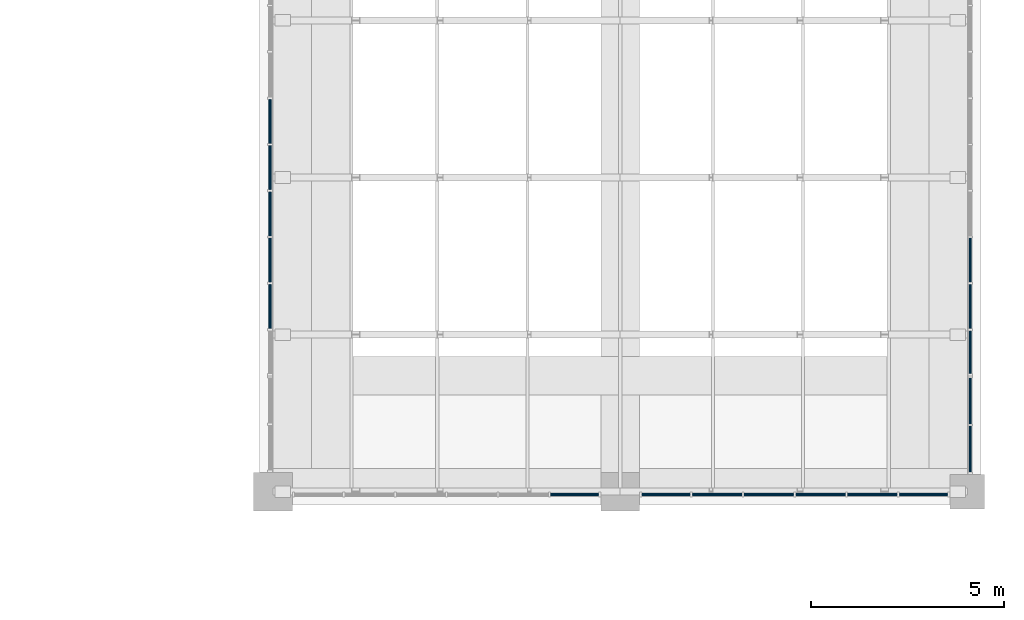
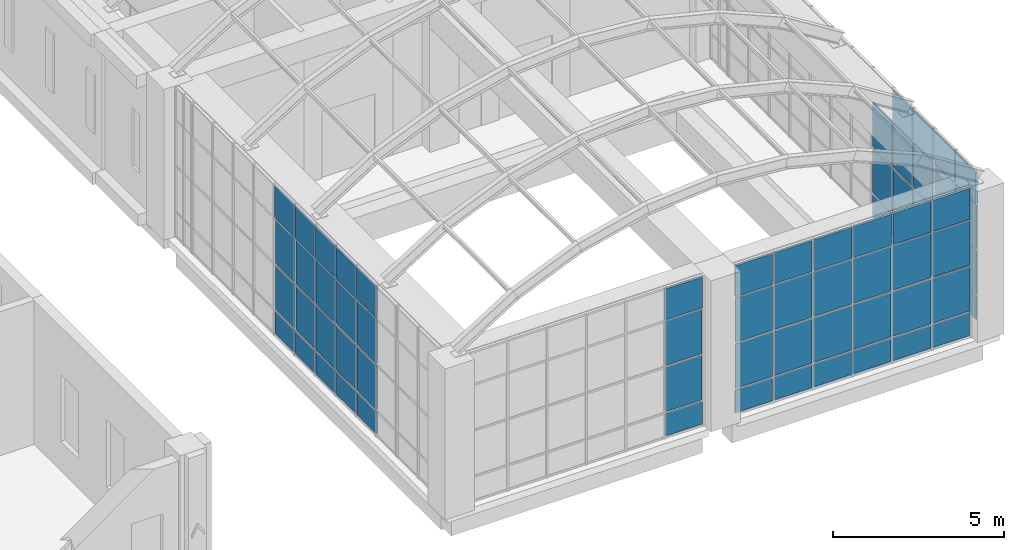
# One storey, part 20 of 39: 67 plates, 5 elements without a shape of their own.
"""IFC4 building model written with IfcOpenShell, lengths in metres."""

from ifc_helpers import new_model, si_unit, direction, frame, origin, origin_2d, place, context, subcontext, project, spatial, rectangle, extrude, material, layer, layer_set, type_object, element, aggregate, save


model = new_model("IFC4")

# Units and contexts
model_context = context("Model", 3, precision=1e-05, world=origin(), true_north=direction((0.0, 1.0)))
body_context = subcontext(model_context, "Body", "Model", "MODEL_VIEW")
ifc_project = project(units=[si_unit("LENGTHUNIT", "METRE"), si_unit("AREAUNIT", "SQUARE_METRE"), si_unit("VOLUMEUNIT", "CUBIC_METRE"), si_unit("PLANEANGLEUNIT", "RADIAN"), si_unit("MASSUNIT", "GRAM", prefix="KILO")], contexts=[model_context])

# Site, building, storey
site_placement = place(None, origin())
site = spatial("IfcSite", under=ifc_project, at=site_placement, CompositionType="ELEMENT")
building_placement = place(site_placement, origin())
building = spatial("IfcBuilding", under=site, at=building_placement, Name="Aurelan Courthouse", CompositionType="ELEMENT")
storey_placement = place(building_placement, frame((0.0, 0.0, 28.199951171875)))
storey = spatial("IfcBuildingStorey", under=building, at=storey_placement, Name="L05", CompositionType="ELEMENT", Elevation=28.199951171875)

# Curtain wall, plate
ifc_material_1 = material(Name="Bronze-finished aluminium and glass", Category="aluminium")
ifc_layer_1 = layer(ifc_material_1, 0.14990234375)
ifc_layer_set_1 = layer_set([ifc_layer_1], Name="Bronze-finished aluminium and glass")
curtain_wall_type_1 = type_object("IfcCurtainWallType", Name="Curtain wall 8000 x 5400", PredefinedType="NOTDEFINED", material=ifc_layer_set_1)
curtain_wall_1_placement = place(storey_placement, origin())
curtain_wall_1 = element("IfcCurtainWall", 1, at=curtain_wall_1_placement, inside=storey, type_object=curtain_wall_type_1, Name="Curtain wall CW-V3-L05-S01", PredefinedType="NOTDEFINED")
ifc_material_2 = material(Name="Bronze-finished aluminium", Category="aluminium")
ifc_layer_2 = layer(ifc_material_2, 0.070068359375)
ifc_layer_set_2 = layer_set([ifc_layer_2], Name="Bronze-finished aluminium")
plate_type_1 = type_object("IfcPlateType", Name="Bronze spandrel panel 70", PredefinedType="CURTAIN_PANEL", material=ifc_layer_set_2)
plate_1_placement = place(storey_placement, frame((79.818359375, 37.425048828125, 4.22998046875), z_axis=(0.0, 0.0, 1.0), x_axis=(1.0, 0.0, 0.0)))
plate_1 = element("IfcPlate", 2, at=plate_1_placement, type_object=plate_type_1, Name="CW-V3-L05-S01 spandrel panel 6.4", PredefinedType="CURTAIN_PANEL", context=body_context, shape_type="SweptSolid", body=[
    extrude(rectangle(XDim=1.243408203125, YDim=0.070068359375, at=origin_2d()), origin(), (0.0, 0.0, 1.0), 1.110107421875),
])

# Curtain wall, plates
ifc_layer_3 = layer(ifc_material_1, 0.14990234375)
ifc_layer_set_3 = layer_set([ifc_layer_3], Name="Bronze-finished aluminium and glass")
curtain_wall_type_2 = type_object("IfcCurtainWallType", Name="Curtain wall 8050 x 5400", PredefinedType="NOTDEFINED", material=ifc_layer_set_3)
curtain_wall_2_placement = place(storey_placement, origin())
curtain_wall_2 = element("IfcCurtainWall", 3, at=curtain_wall_2_placement, inside=storey, type_object=curtain_wall_type_2, Name="Curtain wall CW-V3-L05-S02", PredefinedType="NOTDEFINED")
plate_2_placement = place(storey_placement, frame((82.185791015625, 37.425048828125, 4.22998046875), z_axis=(0.0, 0.0, 1.0), x_axis=(1.0, 0.0, 0.0)))
plate_2 = element("IfcPlate", 4, at=plate_2_placement, type_object=plate_type_1, Name="CW-V3-L05-S02 spandrel panel 1.4", PredefinedType="CURTAIN_PANEL", context=body_context, shape_type="SweptSolid", body=[
    extrude(rectangle(XDim=1.251708984375, YDim=0.070068359375, at=origin_2d()), origin(), (0.0, 0.0, 1.0), 1.110107421875),
])
plate_3_placement = place(storey_placement, frame((83.512451171875, 37.425048828125, 4.22998046875), z_axis=(0.0, 0.0, 1.0), x_axis=(1.0, 0.0, 0.0)))
plate_3 = element("IfcPlate", 5, at=plate_3_placement, type_object=plate_type_1, Name="CW-V3-L05-S02 spandrel panel 2.4", PredefinedType="CURTAIN_PANEL", context=body_context, shape_type="SweptSolid", body=[
    extrude(rectangle(XDim=1.28173828125, YDim=0.070068359375, at=origin_2d()), origin(), (0.0, 0.0, 1.0), 1.110107421875),
])
plate_4_placement = place(storey_placement, frame((84.854248046875, 37.425048828125, 4.22998046875), z_axis=(0.0, 0.0, 1.0), x_axis=(1.0, 0.0, 0.0)))
plate_4 = element("IfcPlate", 6, at=plate_4_placement, type_object=plate_type_1, Name="CW-V3-L05-S02 spandrel panel 3.4", PredefinedType="CURTAIN_PANEL", context=body_context, shape_type="SweptSolid", body=[
    extrude(rectangle(XDim=1.28173828125, YDim=0.070068359375, at=origin_2d()), origin(), (0.0, 0.0, 1.0), 1.110107421875),
])
plate_5_placement = place(storey_placement, frame((86.19580078125, 37.425048828125, 4.22998046875), z_axis=(0.0, 0.0, 1.0), x_axis=(1.0, 0.0, 0.0)))
plate_5 = element("IfcPlate", 7, at=plate_5_placement, type_object=plate_type_1, Name="CW-V3-L05-S02 spandrel panel 4.4", PredefinedType="CURTAIN_PANEL", context=body_context, shape_type="SweptSolid", body=[
    extrude(rectangle(XDim=1.28173828125, YDim=0.070068359375, at=origin_2d()), origin(), (0.0, 0.0, 1.0), 1.110107421875),
])
plate_6_placement = place(storey_placement, frame((87.53759765625, 37.425048828125, 4.22998046875), z_axis=(0.0, 0.0, 1.0), x_axis=(1.0, 0.0, 0.0)))
plate_6 = element("IfcPlate", 8, at=plate_6_placement, type_object=plate_type_1, Name="CW-V3-L05-S02 spandrel panel 5.4", PredefinedType="CURTAIN_PANEL", context=body_context, shape_type="SweptSolid", body=[
    extrude(rectangle(XDim=1.28173828125, YDim=0.070068359375, at=origin_2d()), origin(), (0.0, 0.0, 1.0), 1.110107421875),
])
plate_7_placement = place(storey_placement, frame((88.8642578125, 37.425048828125, 4.22998046875), z_axis=(0.0, 0.0, 1.0), x_axis=(1.0, 0.0, 0.0)))
plate_7 = element("IfcPlate", 9, at=plate_7_placement, type_object=plate_type_1, Name="CW-V3-L05-S02 spandrel panel 6.4", PredefinedType="CURTAIN_PANEL", context=body_context, shape_type="SweptSolid", body=[
    extrude(rectangle(XDim=1.251708984375, YDim=0.070068359375, at=origin_2d()), origin(), (0.0, 0.0, 1.0), 1.110107421875),
])

ifc_layer_4 = layer(ifc_material_1, 0.14990234375)
ifc_layer_set_4 = layer_set([ifc_layer_4], Name="Bronze-finished aluminium and glass")
curtain_wall_type_3 = type_object("IfcCurtainWallType", Name="Curtain wall 2550 x 5400", PredefinedType="NOTDEFINED", material=ifc_layer_set_4)
curtain_wall_3_placement = place(storey_placement, origin())
curtain_wall_3 = element("IfcCurtainWall", 10, at=curtain_wall_3_placement, inside=storey, type_object=curtain_wall_type_3, Name="Curtain wall CW-V3-L05-E01", PredefinedType="NOTDEFINED")
plate_8_placement = place(storey_placement, frame((90.074951171875, 38.6025390625, 4.22998046875), z_axis=(0.0, 0.0, 1.0), x_axis=(0.0, 1.0, 0.0)))
plate_8 = element("IfcPlate", 11, at=plate_8_placement, type_object=plate_type_1, Name="CW-V3-L05-E01 spandrel panel 1.4", PredefinedType="CURTAIN_PANEL", context=body_context, shape_type="SweptSolid", body=[
    extrude(rectangle(XDim=1.18505859375, YDim=0.070068359375, at=origin_2d()), origin(), (0.0, 0.0, 1.0), 1.110107421875),
])
plate_9_placement = place(storey_placement, frame((90.074951171875, 39.847412109375, 4.22998046875), z_axis=(0.0, 0.0, 1.0), x_axis=(0.0, 1.0, 0.0)))
plate_9 = element("IfcPlate", 12, at=plate_9_placement, type_object=plate_type_1, Name="CW-V3-L05-E01 spandrel panel 2.4", PredefinedType="CURTAIN_PANEL", context=body_context, shape_type="SweptSolid", body=[
    extrude(rectangle(XDim=1.18505859375, YDim=0.070068359375, at=origin_2d()), origin(), (0.0, 0.0, 1.0), 1.110107421875),
])

ifc_layer_5 = layer(ifc_material_1, 0.14990234375)
ifc_layer_set_5 = layer_set([ifc_layer_5], Name="Bronze-finished aluminium and glass")
curtain_wall_type_4 = type_object("IfcCurtainWallType", Name="Curtain wall 12000 x 5400", PredefinedType="NOTDEFINED", material=ifc_layer_set_5)
curtain_wall_4_placement = place(storey_placement, origin())
curtain_wall_4 = element("IfcCurtainWall", 13, at=curtain_wall_4_placement, inside=storey, type_object=curtain_wall_type_4, Name="Curtain wall CW-V3-L05-E02", PredefinedType="NOTDEFINED")
plate_10_placement = place(storey_placement, frame((90.074951171875, 41.114990234375, 4.22998046875), z_axis=(0.0, 0.0, 1.0), x_axis=(0.0, 1.0, 0.0)))
plate_10 = element("IfcPlate", 14, at=plate_10_placement, type_object=plate_type_1, Name="CW-V3-L05-E02 spandrel panel 1.4", PredefinedType="CURTAIN_PANEL", context=body_context, shape_type="SweptSolid", body=[
    extrude(rectangle(XDim=1.110107421875, YDim=0.070068359375, at=origin_2d()), origin(), (0.0, 0.0, 1.0), 1.110107421875),
])
plate_11_placement = place(storey_placement, frame((90.074951171875, 42.300048828125, 4.22998046875), z_axis=(0.0, 0.0, 1.0), x_axis=(0.0, 1.0, 0.0)))
plate_11 = element("IfcPlate", 15, at=plate_11_placement, type_object=plate_type_1, Name="CW-V3-L05-E02 spandrel panel 2.4", PredefinedType="CURTAIN_PANEL", context=body_context, shape_type="SweptSolid", body=[
    extrude(rectangle(XDim=1.139892578125, YDim=0.070068359375, at=origin_2d()), origin(), (0.0, 0.0, 1.0), 1.110107421875),
])

curtain_wall_5_placement = place(storey_placement, origin())
curtain_wall_5 = element("IfcCurtainWall", 16, at=curtain_wall_5_placement, inside=storey, type_object=curtain_wall_type_4, Name="Curtain wall CW-V3-L05-W02", PredefinedType="NOTDEFINED")
plate_12_placement = place(storey_placement, frame((71.925048828125, 42.300048828125, 4.22998046875), z_axis=(0.0, 0.0, 1.0), x_axis=(0.0, 1.0, 0.0)))
plate_12 = element("IfcPlate", 17, at=plate_12_placement, type_object=plate_type_1, Name="CW-V3-L05-W02 spandrel panel 2.4", PredefinedType="CURTAIN_PANEL", context=body_context, shape_type="SweptSolid", body=[
    extrude(rectangle(XDim=1.139892578125, YDim=0.070068359375, at=origin_2d()), origin(), (0.0, 0.0, 1.0), 1.110107421875),
])
plate_13_placement = place(storey_placement, frame((71.925048828125, 43.5, 4.22998046875), z_axis=(0.0, 0.0, 1.0), x_axis=(0.0, 1.0, 0.0)))
plate_13 = element("IfcPlate", 18, at=plate_13_placement, type_object=plate_type_1, Name="CW-V3-L05-W02 spandrel panel 3.4", PredefinedType="CURTAIN_PANEL", context=body_context, shape_type="SweptSolid", body=[
    extrude(rectangle(XDim=1.139892578125, YDim=0.070068359375, at=origin_2d()), origin(), (0.0, 0.0, 1.0), 1.110107421875),
])
plate_14_placement = place(storey_placement, frame((71.925048828125, 44.699951171875, 4.22998046875), z_axis=(0.0, 0.0, 1.0), x_axis=(0.0, 1.0, 0.0)))
plate_14 = element("IfcPlate", 19, at=plate_14_placement, type_object=plate_type_1, Name="CW-V3-L05-W02 spandrel panel 4.4", PredefinedType="CURTAIN_PANEL", context=body_context, shape_type="SweptSolid", body=[
    extrude(rectangle(XDim=1.139892578125, YDim=0.070068359375, at=origin_2d()), origin(), (0.0, 0.0, 1.0), 1.110107421875),
])
plate_15_placement = place(storey_placement, frame((71.925048828125, 45.89990234375, 4.22998046875), z_axis=(0.0, 0.0, 1.0), x_axis=(0.0, 1.0, 0.0)))
plate_15 = element("IfcPlate", 20, at=plate_15_placement, type_object=plate_type_1, Name="CW-V3-L05-W02 spandrel panel 5.4", PredefinedType="CURTAIN_PANEL", context=body_context, shape_type="SweptSolid", body=[
    extrude(rectangle(XDim=1.139892578125, YDim=0.070068359375, at=origin_2d()), origin(), (0.0, 0.0, 1.0), 1.110107421875),
])
plate_16_placement = place(storey_placement, frame((71.925048828125, 47.10009765625, 4.22998046875), z_axis=(0.0, 0.0, 1.0), x_axis=(0.0, 1.0, 0.0)))
plate_16 = element("IfcPlate", 21, at=plate_16_placement, type_object=plate_type_1, Name="CW-V3-L05-W02 spandrel panel 6.4", PredefinedType="CURTAIN_PANEL", context=body_context, shape_type="SweptSolid", body=[
    extrude(rectangle(XDim=1.139892578125, YDim=0.070068359375, at=origin_2d()), origin(), (0.0, 0.0, 1.0), 1.110107421875),
])

# Plate
ifc_layer_6 = layer(ifc_material_2, 0.0400390625)
ifc_layer_set_6 = layer_set([ifc_layer_6], Name="Bronze-finished aluminium")
plate_type_2 = type_object("IfcPlateType", Name="Sill panel 40", PredefinedType="CURTAIN_PANEL", material=ifc_layer_set_6)
plate_17_placement = place(storey_placement, frame((79.818359375, 37.425048828125, 0.06005859375), z_axis=(0.0, 0.0, 1.0), x_axis=(1.0, 0.0, 0.0)))
plate_17 = element("IfcPlate", 22, at=plate_17_placement, type_object=plate_type_2, Name="CW-V3-L05-S01 sill panel 6.1", PredefinedType="CURTAIN_PANEL", context=body_context, shape_type="SweptSolid", body=[
    extrude(rectangle(XDim=1.243408203125, YDim=0.0400390625, at=origin_2d()), origin(), (0.0, 0.0, 1.0), 0.81005859375),
])

plate_18_placement = place(storey_placement, frame((82.185791015625, 37.425048828125, 0.06005859375), z_axis=(0.0, 0.0, 1.0), x_axis=(1.0, 0.0, 0.0)))
plate_18 = element("IfcPlate", 23, at=plate_18_placement, type_object=plate_type_2, Name="CW-V3-L05-S02 sill panel 1.1", PredefinedType="CURTAIN_PANEL", context=body_context, shape_type="SweptSolid", body=[
    extrude(rectangle(XDim=1.251708984375, YDim=0.0400390625, at=origin_2d()), origin(), (0.0, 0.0, 1.0), 0.81005859375),
])

plate_19_placement = place(storey_placement, frame((83.512451171875, 37.425048828125, 0.06005859375), z_axis=(0.0, 0.0, 1.0), x_axis=(1.0, 0.0, 0.0)))
plate_19 = element("IfcPlate", 24, at=plate_19_placement, type_object=plate_type_2, Name="CW-V3-L05-S02 sill panel 2.1", PredefinedType="CURTAIN_PANEL", context=body_context, shape_type="SweptSolid", body=[
    extrude(rectangle(XDim=1.28173828125, YDim=0.0400390625, at=origin_2d()), origin(), (0.0, 0.0, 1.0), 0.81005859375),
])

plate_20_placement = place(storey_placement, frame((84.854248046875, 37.425048828125, 0.06005859375), z_axis=(0.0, 0.0, 1.0), x_axis=(1.0, 0.0, 0.0)))
plate_20 = element("IfcPlate", 25, at=plate_20_placement, type_object=plate_type_2, Name="CW-V3-L05-S02 sill panel 3.1", PredefinedType="CURTAIN_PANEL", context=body_context, shape_type="SweptSolid", body=[
    extrude(rectangle(XDim=1.28173828125, YDim=0.0400390625, at=origin_2d()), origin(), (0.0, 0.0, 1.0), 0.81005859375),
])

plate_21_placement = place(storey_placement, frame((86.19580078125, 37.425048828125, 0.06005859375), z_axis=(0.0, 0.0, 1.0), x_axis=(1.0, 0.0, 0.0)))
plate_21 = element("IfcPlate", 26, at=plate_21_placement, type_object=plate_type_2, Name="CW-V3-L05-S02 sill panel 4.1", PredefinedType="CURTAIN_PANEL", context=body_context, shape_type="SweptSolid", body=[
    extrude(rectangle(XDim=1.28173828125, YDim=0.0400390625, at=origin_2d()), origin(), (0.0, 0.0, 1.0), 0.81005859375),
])

plate_22_placement = place(storey_placement, frame((87.53759765625, 37.425048828125, 0.06005859375), z_axis=(0.0, 0.0, 1.0), x_axis=(1.0, 0.0, 0.0)))
plate_22 = element("IfcPlate", 27, at=plate_22_placement, type_object=plate_type_2, Name="CW-V3-L05-S02 sill panel 5.1", PredefinedType="CURTAIN_PANEL", context=body_context, shape_type="SweptSolid", body=[
    extrude(rectangle(XDim=1.28173828125, YDim=0.0400390625, at=origin_2d()), origin(), (0.0, 0.0, 1.0), 0.81005859375),
])

plate_23_placement = place(storey_placement, frame((88.8642578125, 37.425048828125, 0.06005859375), z_axis=(0.0, 0.0, 1.0), x_axis=(1.0, 0.0, 0.0)))
plate_23 = element("IfcPlate", 28, at=plate_23_placement, type_object=plate_type_2, Name="CW-V3-L05-S02 sill panel 6.1", PredefinedType="CURTAIN_PANEL", context=body_context, shape_type="SweptSolid", body=[
    extrude(rectangle(XDim=1.251708984375, YDim=0.0400390625, at=origin_2d()), origin(), (0.0, 0.0, 1.0), 0.81005859375),
])

plate_24_placement = place(storey_placement, frame((90.074951171875, 38.6025390625, 0.06005859375), z_axis=(0.0, 0.0, 1.0), x_axis=(0.0, 1.0, 0.0)))
plate_24 = element("IfcPlate", 29, at=plate_24_placement, type_object=plate_type_2, Name="CW-V3-L05-E01 sill panel 1.1", PredefinedType="CURTAIN_PANEL", context=body_context, shape_type="SweptSolid", body=[
    extrude(rectangle(XDim=1.18505859375, YDim=0.0400390625, at=origin_2d()), origin(), (0.0, 0.0, 1.0), 0.81005859375),
])

plate_25_placement = place(storey_placement, frame((90.074951171875, 39.847412109375, 0.06005859375), z_axis=(0.0, 0.0, 1.0), x_axis=(0.0, 1.0, 0.0)))
plate_25 = element("IfcPlate", 30, at=plate_25_placement, type_object=plate_type_2, Name="CW-V3-L05-E01 sill panel 2.1", PredefinedType="CURTAIN_PANEL", context=body_context, shape_type="SweptSolid", body=[
    extrude(rectangle(XDim=1.18505859375, YDim=0.0400390625, at=origin_2d()), origin(), (0.0, 0.0, 1.0), 0.81005859375),
])

plate_26_placement = place(storey_placement, frame((90.074951171875, 41.114990234375, 0.06005859375), z_axis=(0.0, 0.0, 1.0), x_axis=(0.0, 1.0, 0.0)))
plate_26 = element("IfcPlate", 31, at=plate_26_placement, type_object=plate_type_2, Name="CW-V3-L05-E02 sill panel 1.1", PredefinedType="CURTAIN_PANEL", context=body_context, shape_type="SweptSolid", body=[
    extrude(rectangle(XDim=1.110107421875, YDim=0.0400390625, at=origin_2d()), origin(), (0.0, 0.0, 1.0), 0.81005859375),
])

plate_27_placement = place(storey_placement, frame((90.074951171875, 42.300048828125, 0.06005859375), z_axis=(0.0, 0.0, 1.0), x_axis=(0.0, 1.0, 0.0)))
plate_27 = element("IfcPlate", 32, at=plate_27_placement, type_object=plate_type_2, Name="CW-V3-L05-E02 sill panel 2.1", PredefinedType="CURTAIN_PANEL", context=body_context, shape_type="SweptSolid", body=[
    extrude(rectangle(XDim=1.139892578125, YDim=0.0400390625, at=origin_2d()), origin(), (0.0, 0.0, 1.0), 0.81005859375),
])

plate_28_placement = place(storey_placement, frame((90.074951171875, 43.5, 0.06005859375), z_axis=(0.0, 0.0, 1.0), x_axis=(0.0, 1.0, 0.0)))
plate_28 = element("IfcPlate", 33, at=plate_28_placement, type_object=plate_type_2, Name="CW-V3-L05-E02 sill panel 3.1", PredefinedType="CURTAIN_PANEL", context=body_context, shape_type="SweptSolid", body=[
    extrude(rectangle(XDim=1.139892578125, YDim=0.0400390625, at=origin_2d()), origin(), (0.0, 0.0, 1.0), 0.81005859375),
])

plate_29_placement = place(storey_placement, frame((71.925048828125, 42.300048828125, 0.06005859375), z_axis=(0.0, 0.0, 1.0), x_axis=(0.0, 1.0, 0.0)))
plate_29 = element("IfcPlate", 34, at=plate_29_placement, type_object=plate_type_2, Name="CW-V3-L05-W02 sill panel 2.1", PredefinedType="CURTAIN_PANEL", context=body_context, shape_type="SweptSolid", body=[
    extrude(rectangle(XDim=1.139892578125, YDim=0.0400390625, at=origin_2d()), origin(), (0.0, 0.0, 1.0), 0.81005859375),
])

plate_30_placement = place(storey_placement, frame((71.925048828125, 43.5, 0.06005859375), z_axis=(0.0, 0.0, 1.0), x_axis=(0.0, 1.0, 0.0)))
plate_30 = element("IfcPlate", 35, at=plate_30_placement, type_object=plate_type_2, Name="CW-V3-L05-W02 sill panel 3.1", PredefinedType="CURTAIN_PANEL", context=body_context, shape_type="SweptSolid", body=[
    extrude(rectangle(XDim=1.139892578125, YDim=0.0400390625, at=origin_2d()), origin(), (0.0, 0.0, 1.0), 0.81005859375),
])

plate_31_placement = place(storey_placement, frame((71.925048828125, 44.699951171875, 0.06005859375), z_axis=(0.0, 0.0, 1.0), x_axis=(0.0, 1.0, 0.0)))
plate_31 = element("IfcPlate", 36, at=plate_31_placement, type_object=plate_type_2, Name="CW-V3-L05-W02 sill panel 4.1", PredefinedType="CURTAIN_PANEL", context=body_context, shape_type="SweptSolid", body=[
    extrude(rectangle(XDim=1.139892578125, YDim=0.0400390625, at=origin_2d()), origin(), (0.0, 0.0, 1.0), 0.81005859375),
])

plate_32_placement = place(storey_placement, frame((71.925048828125, 45.89990234375, 0.06005859375), z_axis=(0.0, 0.0, 1.0), x_axis=(0.0, 1.0, 0.0)))
plate_32 = element("IfcPlate", 37, at=plate_32_placement, type_object=plate_type_2, Name="CW-V3-L05-W02 sill panel 5.1", PredefinedType="CURTAIN_PANEL", context=body_context, shape_type="SweptSolid", body=[
    extrude(rectangle(XDim=1.139892578125, YDim=0.0400390625, at=origin_2d()), origin(), (0.0, 0.0, 1.0), 0.81005859375),
])

plate_33_placement = place(storey_placement, frame((71.925048828125, 47.10009765625, 0.06005859375), z_axis=(0.0, 0.0, 1.0), x_axis=(0.0, 1.0, 0.0)))
plate_33 = element("IfcPlate", 38, at=plate_33_placement, type_object=plate_type_2, Name="CW-V3-L05-W02 sill panel 6.1", PredefinedType="CURTAIN_PANEL", context=body_context, shape_type="SweptSolid", body=[
    extrude(rectangle(XDim=1.139892578125, YDim=0.0400390625, at=origin_2d()), origin(), (0.0, 0.0, 1.0), 0.81005859375),
])

ifc_material_3 = material(Name="Laminated low-emissivity glass", Category="glass")
ifc_layer_7 = layer(ifc_material_3, 0.031982421875)
ifc_layer_set_7 = layer_set([ifc_layer_7], Name="Laminated low-emissivity glass")
plate_type_3 = type_object("IfcPlateType", Name="Vision glass panel 32", PredefinedType="CURTAIN_PANEL", material=ifc_layer_set_7)
plate_34_placement = place(storey_placement, frame((79.818359375, 37.425048828125, 0.93017578125), z_axis=(0.0, 0.0, 1.0), x_axis=(1.0, 0.0, 0.0)))
plate_34 = element("IfcPlate", 39, at=plate_34_placement, type_object=plate_type_3, Name="CW-V3-L05-S01 vision panel 6.2", PredefinedType="CURTAIN_PANEL", context=body_context, shape_type="SweptSolid", body=[
    extrude(rectangle(XDim=1.243408203125, YDim=0.031982421875, at=origin_2d()), origin(), (0.0, 0.0, 1.0), 1.590087890625),
])

plate_35_placement = place(storey_placement, frame((79.818359375, 37.425048828125, 2.580078125), z_axis=(0.0, 0.0, 1.0), x_axis=(1.0, 0.0, 0.0)))
plate_35 = element("IfcPlate", 40, at=plate_35_placement, type_object=plate_type_3, Name="CW-V3-L05-S01 vision panel 6.3", PredefinedType="CURTAIN_PANEL", context=body_context, shape_type="SweptSolid", body=[
    extrude(rectangle(XDim=1.243408203125, YDim=0.031982421875, at=origin_2d()), origin(), (0.0, 0.0, 1.0), 1.590087890625),
])

aggregate(curtain_wall_1, [plate_17, plate_34, plate_35, plate_1])

plate_36_placement = place(storey_placement, frame((82.185791015625, 37.425048828125, 0.93017578125), z_axis=(0.0, 0.0, 1.0), x_axis=(1.0, 0.0, 0.0)))
plate_36 = element("IfcPlate", 41, at=plate_36_placement, type_object=plate_type_3, Name="CW-V3-L05-S02 vision panel 1.2", PredefinedType="CURTAIN_PANEL", context=body_context, shape_type="SweptSolid", body=[
    extrude(rectangle(XDim=1.251708984375, YDim=0.031982421875, at=origin_2d()), origin(), (0.0, 0.0, 1.0), 1.590087890625),
])

plate_37_placement = place(storey_placement, frame((82.185791015625, 37.425048828125, 2.580078125), z_axis=(0.0, 0.0, 1.0), x_axis=(1.0, 0.0, 0.0)))
plate_37 = element("IfcPlate", 42, at=plate_37_placement, type_object=plate_type_3, Name="CW-V3-L05-S02 vision panel 1.3", PredefinedType="CURTAIN_PANEL", context=body_context, shape_type="SweptSolid", body=[
    extrude(rectangle(XDim=1.251708984375, YDim=0.031982421875, at=origin_2d()), origin(), (0.0, 0.0, 1.0), 1.590087890625),
])

plate_38_placement = place(storey_placement, frame((83.512451171875, 37.425048828125, 0.93017578125), z_axis=(0.0, 0.0, 1.0), x_axis=(1.0, 0.0, 0.0)))
plate_38 = element("IfcPlate", 43, at=plate_38_placement, type_object=plate_type_3, Name="CW-V3-L05-S02 vision panel 2.2", PredefinedType="CURTAIN_PANEL", context=body_context, shape_type="SweptSolid", body=[
    extrude(rectangle(XDim=1.28173828125, YDim=0.031982421875, at=origin_2d()), origin(), (0.0, 0.0, 1.0), 1.590087890625),
])

plate_39_placement = place(storey_placement, frame((83.512451171875, 37.425048828125, 2.580078125), z_axis=(0.0, 0.0, 1.0), x_axis=(1.0, 0.0, 0.0)))
plate_39 = element("IfcPlate", 44, at=plate_39_placement, type_object=plate_type_3, Name="CW-V3-L05-S02 vision panel 2.3", PredefinedType="CURTAIN_PANEL", context=body_context, shape_type="SweptSolid", body=[
    extrude(rectangle(XDim=1.28173828125, YDim=0.031982421875, at=origin_2d()), origin(), (0.0, 0.0, 1.0), 1.590087890625),
])

plate_40_placement = place(storey_placement, frame((84.854248046875, 37.425048828125, 0.93017578125), z_axis=(0.0, 0.0, 1.0), x_axis=(1.0, 0.0, 0.0)))
plate_40 = element("IfcPlate", 45, at=plate_40_placement, type_object=plate_type_3, Name="CW-V3-L05-S02 vision panel 3.2", PredefinedType="CURTAIN_PANEL", context=body_context, shape_type="SweptSolid", body=[
    extrude(rectangle(XDim=1.28173828125, YDim=0.031982421875, at=origin_2d()), origin(), (0.0, 0.0, 1.0), 1.590087890625),
])

plate_41_placement = place(storey_placement, frame((84.854248046875, 37.425048828125, 2.580078125), z_axis=(0.0, 0.0, 1.0), x_axis=(1.0, 0.0, 0.0)))
plate_41 = element("IfcPlate", 46, at=plate_41_placement, type_object=plate_type_3, Name="CW-V3-L05-S02 vision panel 3.3", PredefinedType="CURTAIN_PANEL", context=body_context, shape_type="SweptSolid", body=[
    extrude(rectangle(XDim=1.28173828125, YDim=0.031982421875, at=origin_2d()), origin(), (0.0, 0.0, 1.0), 1.590087890625),
])

plate_42_placement = place(storey_placement, frame((86.19580078125, 37.425048828125, 0.93017578125), z_axis=(0.0, 0.0, 1.0), x_axis=(1.0, 0.0, 0.0)))
plate_42 = element("IfcPlate", 47, at=plate_42_placement, type_object=plate_type_3, Name="CW-V3-L05-S02 vision panel 4.2", PredefinedType="CURTAIN_PANEL", context=body_context, shape_type="SweptSolid", body=[
    extrude(rectangle(XDim=1.28173828125, YDim=0.031982421875, at=origin_2d()), origin(), (0.0, 0.0, 1.0), 1.590087890625),
])

plate_43_placement = place(storey_placement, frame((86.19580078125, 37.425048828125, 2.580078125), z_axis=(0.0, 0.0, 1.0), x_axis=(1.0, 0.0, 0.0)))
plate_43 = element("IfcPlate", 48, at=plate_43_placement, type_object=plate_type_3, Name="CW-V3-L05-S02 vision panel 4.3", PredefinedType="CURTAIN_PANEL", context=body_context, shape_type="SweptSolid", body=[
    extrude(rectangle(XDim=1.28173828125, YDim=0.031982421875, at=origin_2d()), origin(), (0.0, 0.0, 1.0), 1.590087890625),
])

plate_44_placement = place(storey_placement, frame((87.53759765625, 37.425048828125, 0.93017578125), z_axis=(0.0, 0.0, 1.0), x_axis=(1.0, 0.0, 0.0)))
plate_44 = element("IfcPlate", 49, at=plate_44_placement, type_object=plate_type_3, Name="CW-V3-L05-S02 vision panel 5.2", PredefinedType="CURTAIN_PANEL", context=body_context, shape_type="SweptSolid", body=[
    extrude(rectangle(XDim=1.28173828125, YDim=0.031982421875, at=origin_2d()), origin(), (0.0, 0.0, 1.0), 1.590087890625),
])

plate_45_placement = place(storey_placement, frame((87.53759765625, 37.425048828125, 2.580078125), z_axis=(0.0, 0.0, 1.0), x_axis=(1.0, 0.0, 0.0)))
plate_45 = element("IfcPlate", 50, at=plate_45_placement, type_object=plate_type_3, Name="CW-V3-L05-S02 vision panel 5.3", PredefinedType="CURTAIN_PANEL", context=body_context, shape_type="SweptSolid", body=[
    extrude(rectangle(XDim=1.28173828125, YDim=0.031982421875, at=origin_2d()), origin(), (0.0, 0.0, 1.0), 1.590087890625),
])

plate_46_placement = place(storey_placement, frame((88.8642578125, 37.425048828125, 0.93017578125), z_axis=(0.0, 0.0, 1.0), x_axis=(1.0, 0.0, 0.0)))
plate_46 = element("IfcPlate", 51, at=plate_46_placement, type_object=plate_type_3, Name="CW-V3-L05-S02 vision panel 6.2", PredefinedType="CURTAIN_PANEL", context=body_context, shape_type="SweptSolid", body=[
    extrude(rectangle(XDim=1.251708984375, YDim=0.031982421875, at=origin_2d()), origin(), (0.0, 0.0, 1.0), 1.590087890625),
])

plate_47_placement = place(storey_placement, frame((88.8642578125, 37.425048828125, 2.580078125), z_axis=(0.0, 0.0, 1.0), x_axis=(1.0, 0.0, 0.0)))
plate_47 = element("IfcPlate", 52, at=plate_47_placement, type_object=plate_type_3, Name="CW-V3-L05-S02 vision panel 6.3", PredefinedType="CURTAIN_PANEL", context=body_context, shape_type="SweptSolid", body=[
    extrude(rectangle(XDim=1.251708984375, YDim=0.031982421875, at=origin_2d()), origin(), (0.0, 0.0, 1.0), 1.590087890625),
])

aggregate(curtain_wall_2, [plate_18, plate_36, plate_37, plate_2, plate_19, plate_38, plate_39, plate_3, plate_20, plate_40, plate_41, plate_4, plate_21, plate_42, plate_43, plate_5, plate_22, plate_44, plate_45, plate_6, plate_23, plate_46, plate_47, plate_7])

plate_48_placement = place(storey_placement, frame((90.074951171875, 38.6025390625, 0.93017578125), z_axis=(0.0, 0.0, 1.0), x_axis=(0.0, 1.0, 0.0)))
plate_48 = element("IfcPlate", 53, at=plate_48_placement, type_object=plate_type_3, Name="CW-V3-L05-E01 vision panel 1.2", PredefinedType="CURTAIN_PANEL", context=body_context, shape_type="SweptSolid", body=[
    extrude(rectangle(XDim=1.18505859375, YDim=0.031982421875, at=origin_2d()), origin(), (0.0, 0.0, 1.0), 1.590087890625),
])

plate_49_placement = place(storey_placement, frame((90.074951171875, 38.6025390625, 2.580078125), z_axis=(0.0, 0.0, 1.0), x_axis=(0.0, 1.0, 0.0)))
plate_49 = element("IfcPlate", 54, at=plate_49_placement, type_object=plate_type_3, Name="CW-V3-L05-E01 vision panel 1.3", PredefinedType="CURTAIN_PANEL", context=body_context, shape_type="SweptSolid", body=[
    extrude(rectangle(XDim=1.18505859375, YDim=0.031982421875, at=origin_2d()), origin(), (0.0, 0.0, 1.0), 1.590087890625),
])

plate_50_placement = place(storey_placement, frame((90.074951171875, 39.847412109375, 0.93017578125), z_axis=(0.0, 0.0, 1.0), x_axis=(0.0, 1.0, 0.0)))
plate_50 = element("IfcPlate", 55, at=plate_50_placement, type_object=plate_type_3, Name="CW-V3-L05-E01 vision panel 2.2", PredefinedType="CURTAIN_PANEL", context=body_context, shape_type="SweptSolid", body=[
    extrude(rectangle(XDim=1.18505859375, YDim=0.031982421875, at=origin_2d()), origin(), (0.0, 0.0, 1.0), 1.590087890625),
])

plate_51_placement = place(storey_placement, frame((90.074951171875, 39.847412109375, 2.580078125), z_axis=(0.0, 0.0, 1.0), x_axis=(0.0, 1.0, 0.0)))
plate_51 = element("IfcPlate", 56, at=plate_51_placement, type_object=plate_type_3, Name="CW-V3-L05-E01 vision panel 2.3", PredefinedType="CURTAIN_PANEL", context=body_context, shape_type="SweptSolid", body=[
    extrude(rectangle(XDim=1.18505859375, YDim=0.031982421875, at=origin_2d()), origin(), (0.0, 0.0, 1.0), 1.590087890625),
])

aggregate(curtain_wall_3, [plate_24, plate_48, plate_49, plate_8, plate_25, plate_50, plate_51, plate_9])

plate_52_placement = place(storey_placement, frame((90.074951171875, 41.114990234375, 0.93017578125), z_axis=(0.0, 0.0, 1.0), x_axis=(0.0, 1.0, 0.0)))
plate_52 = element("IfcPlate", 57, at=plate_52_placement, type_object=plate_type_3, Name="CW-V3-L05-E02 vision panel 1.2", PredefinedType="CURTAIN_PANEL", context=body_context, shape_type="SweptSolid", body=[
    extrude(rectangle(XDim=1.110107421875, YDim=0.031982421875, at=origin_2d()), origin(), (0.0, 0.0, 1.0), 1.590087890625),
])

plate_53_placement = place(storey_placement, frame((90.074951171875, 41.114990234375, 2.580078125), z_axis=(0.0, 0.0, 1.0), x_axis=(0.0, 1.0, 0.0)))
plate_53 = element("IfcPlate", 58, at=plate_53_placement, type_object=plate_type_3, Name="CW-V3-L05-E02 vision panel 1.3", PredefinedType="CURTAIN_PANEL", context=body_context, shape_type="SweptSolid", body=[
    extrude(rectangle(XDim=1.110107421875, YDim=0.031982421875, at=origin_2d()), origin(), (0.0, 0.0, 1.0), 1.590087890625),
])

plate_54_placement = place(storey_placement, frame((90.074951171875, 42.300048828125, 0.93017578125), z_axis=(0.0, 0.0, 1.0), x_axis=(0.0, 1.0, 0.0)))
plate_54 = element("IfcPlate", 59, at=plate_54_placement, type_object=plate_type_3, Name="CW-V3-L05-E02 vision panel 2.2", PredefinedType="CURTAIN_PANEL", context=body_context, shape_type="SweptSolid", body=[
    extrude(rectangle(XDim=1.139892578125, YDim=0.031982421875, at=origin_2d()), origin(), (0.0, 0.0, 1.0), 1.590087890625),
])

plate_55_placement = place(storey_placement, frame((90.074951171875, 42.300048828125, 2.580078125), z_axis=(0.0, 0.0, 1.0), x_axis=(0.0, 1.0, 0.0)))
plate_55 = element("IfcPlate", 60, at=plate_55_placement, type_object=plate_type_3, Name="CW-V3-L05-E02 vision panel 2.3", PredefinedType="CURTAIN_PANEL", context=body_context, shape_type="SweptSolid", body=[
    extrude(rectangle(XDim=1.139892578125, YDim=0.031982421875, at=origin_2d()), origin(), (0.0, 0.0, 1.0), 1.590087890625),
])

plate_56_placement = place(storey_placement, frame((90.074951171875, 43.5, 0.93017578125), z_axis=(0.0, 0.0, 1.0), x_axis=(0.0, 1.0, 0.0)))
plate_56 = element("IfcPlate", 61, at=plate_56_placement, type_object=plate_type_3, Name="CW-V3-L05-E02 vision panel 3.2", PredefinedType="CURTAIN_PANEL", context=body_context, shape_type="SweptSolid", body=[
    extrude(rectangle(XDim=1.139892578125, YDim=0.031982421875, at=origin_2d()), origin(), (0.0, 0.0, 1.0), 1.590087890625),
])

plate_57_placement = place(storey_placement, frame((90.074951171875, 43.5, 2.580078125), z_axis=(0.0, 0.0, 1.0), x_axis=(0.0, 1.0, 0.0)))
plate_57 = element("IfcPlate", 62, at=plate_57_placement, type_object=plate_type_3, Name="CW-V3-L05-E02 vision panel 3.3", PredefinedType="CURTAIN_PANEL", context=body_context, shape_type="SweptSolid", body=[
    extrude(rectangle(XDim=1.139892578125, YDim=0.031982421875, at=origin_2d()), origin(), (0.0, 0.0, 1.0), 1.590087890625),
])

aggregate(curtain_wall_4, [plate_26, plate_52, plate_53, plate_10, plate_27, plate_54, plate_55, plate_11, plate_28, plate_56, plate_57])

plate_58_placement = place(storey_placement, frame((71.925048828125, 42.300048828125, 0.93017578125), z_axis=(0.0, 0.0, 1.0), x_axis=(0.0, 1.0, 0.0)))
plate_58 = element("IfcPlate", 63, at=plate_58_placement, type_object=plate_type_3, Name="CW-V3-L05-W02 vision panel 2.2", PredefinedType="CURTAIN_PANEL", context=body_context, shape_type="SweptSolid", body=[
    extrude(rectangle(XDim=1.139892578125, YDim=0.031982421875, at=origin_2d()), origin(), (0.0, 0.0, 1.0), 1.590087890625),
])

plate_59_placement = place(storey_placement, frame((71.925048828125, 42.300048828125, 2.580078125), z_axis=(0.0, 0.0, 1.0), x_axis=(0.0, 1.0, 0.0)))
plate_59 = element("IfcPlate", 64, at=plate_59_placement, type_object=plate_type_3, Name="CW-V3-L05-W02 vision panel 2.3", PredefinedType="CURTAIN_PANEL", context=body_context, shape_type="SweptSolid", body=[
    extrude(rectangle(XDim=1.139892578125, YDim=0.031982421875, at=origin_2d()), origin(), (0.0, 0.0, 1.0), 1.590087890625),
])

plate_60_placement = place(storey_placement, frame((71.925048828125, 43.5, 0.93017578125), z_axis=(0.0, 0.0, 1.0), x_axis=(0.0, 1.0, 0.0)))
plate_60 = element("IfcPlate", 65, at=plate_60_placement, type_object=plate_type_3, Name="CW-V3-L05-W02 vision panel 3.2", PredefinedType="CURTAIN_PANEL", context=body_context, shape_type="SweptSolid", body=[
    extrude(rectangle(XDim=1.139892578125, YDim=0.031982421875, at=origin_2d()), origin(), (0.0, 0.0, 1.0), 1.590087890625),
])

plate_61_placement = place(storey_placement, frame((71.925048828125, 43.5, 2.580078125), z_axis=(0.0, 0.0, 1.0), x_axis=(0.0, 1.0, 0.0)))
plate_61 = element("IfcPlate", 66, at=plate_61_placement, type_object=plate_type_3, Name="CW-V3-L05-W02 vision panel 3.3", PredefinedType="CURTAIN_PANEL", context=body_context, shape_type="SweptSolid", body=[
    extrude(rectangle(XDim=1.139892578125, YDim=0.031982421875, at=origin_2d()), origin(), (0.0, 0.0, 1.0), 1.590087890625),
])

plate_62_placement = place(storey_placement, frame((71.925048828125, 44.699951171875, 0.93017578125), z_axis=(0.0, 0.0, 1.0), x_axis=(0.0, 1.0, 0.0)))
plate_62 = element("IfcPlate", 67, at=plate_62_placement, type_object=plate_type_3, Name="CW-V3-L05-W02 vision panel 4.2", PredefinedType="CURTAIN_PANEL", context=body_context, shape_type="SweptSolid", body=[
    extrude(rectangle(XDim=1.139892578125, YDim=0.031982421875, at=origin_2d()), origin(), (0.0, 0.0, 1.0), 1.590087890625),
])

plate_63_placement = place(storey_placement, frame((71.925048828125, 44.699951171875, 2.580078125), z_axis=(0.0, 0.0, 1.0), x_axis=(0.0, 1.0, 0.0)))
plate_63 = element("IfcPlate", 68, at=plate_63_placement, type_object=plate_type_3, Name="CW-V3-L05-W02 vision panel 4.3", PredefinedType="CURTAIN_PANEL", context=body_context, shape_type="SweptSolid", body=[
    extrude(rectangle(XDim=1.139892578125, YDim=0.031982421875, at=origin_2d()), origin(), (0.0, 0.0, 1.0), 1.590087890625),
])

plate_64_placement = place(storey_placement, frame((71.925048828125, 45.89990234375, 0.93017578125), z_axis=(0.0, 0.0, 1.0), x_axis=(0.0, 1.0, 0.0)))
plate_64 = element("IfcPlate", 69, at=plate_64_placement, type_object=plate_type_3, Name="CW-V3-L05-W02 vision panel 5.2", PredefinedType="CURTAIN_PANEL", context=body_context, shape_type="SweptSolid", body=[
    extrude(rectangle(XDim=1.139892578125, YDim=0.031982421875, at=origin_2d()), origin(), (0.0, 0.0, 1.0), 1.590087890625),
])

plate_65_placement = place(storey_placement, frame((71.925048828125, 45.89990234375, 2.580078125), z_axis=(0.0, 0.0, 1.0), x_axis=(0.0, 1.0, 0.0)))
plate_65 = element("IfcPlate", 70, at=plate_65_placement, type_object=plate_type_3, Name="CW-V3-L05-W02 vision panel 5.3", PredefinedType="CURTAIN_PANEL", context=body_context, shape_type="SweptSolid", body=[
    extrude(rectangle(XDim=1.139892578125, YDim=0.031982421875, at=origin_2d()), origin(), (0.0, 0.0, 1.0), 1.590087890625),
])

plate_66_placement = place(storey_placement, frame((71.925048828125, 47.10009765625, 0.93017578125), z_axis=(0.0, 0.0, 1.0), x_axis=(0.0, 1.0, 0.0)))
plate_66 = element("IfcPlate", 71, at=plate_66_placement, type_object=plate_type_3, Name="CW-V3-L05-W02 vision panel 6.2", PredefinedType="CURTAIN_PANEL", context=body_context, shape_type="SweptSolid", body=[
    extrude(rectangle(XDim=1.139892578125, YDim=0.031982421875, at=origin_2d()), origin(), (0.0, 0.0, 1.0), 1.590087890625),
])

plate_67_placement = place(storey_placement, frame((71.925048828125, 47.10009765625, 2.580078125), z_axis=(0.0, 0.0, 1.0), x_axis=(0.0, 1.0, 0.0)))
plate_67 = element("IfcPlate", 72, at=plate_67_placement, type_object=plate_type_3, Name="CW-V3-L05-W02 vision panel 6.3", PredefinedType="CURTAIN_PANEL", context=body_context, shape_type="SweptSolid", body=[
    extrude(rectangle(XDim=1.139892578125, YDim=0.031982421875, at=origin_2d()), origin(), (0.0, 0.0, 1.0), 1.590087890625),
])

aggregate(curtain_wall_5, [plate_29, plate_58, plate_59, plate_12, plate_30, plate_60, plate_61, plate_13, plate_31, plate_62, plate_63, plate_14, plate_32, plate_64, plate_65, plate_15, plate_33, plate_66, plate_67, plate_16])

save(model, "model.ifc")
